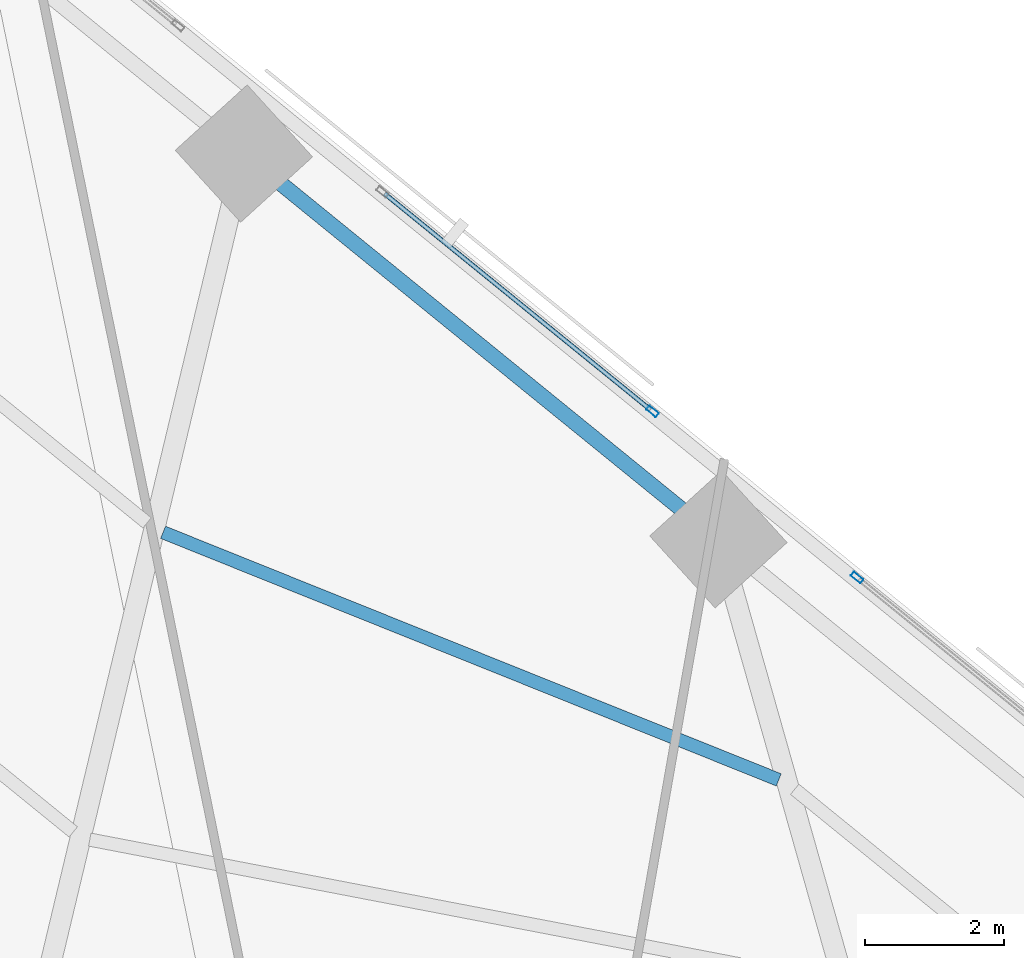
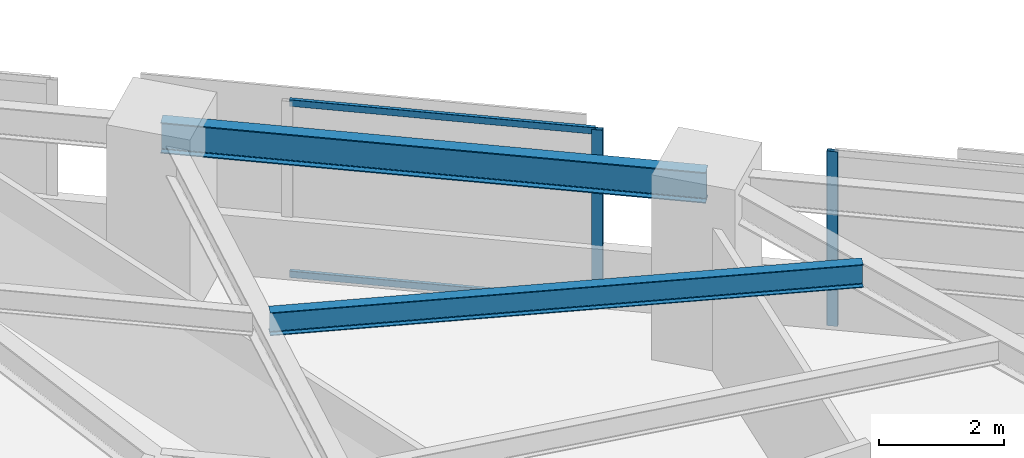
# One storey, part 10 of 17: 4 members, 2 beams, 2 elements without a shape of their own.
"""IFC4 building model written with IfcOpenShell, lengths in metres."""

from ifc_helpers import new_model, si_unit, direction, frame, origin, origin_2d, place, context, subcontext, project, spatial, hollow_rectangle, i_section, extrude, material, material_profile, profile_set, type_object, element, aggregate, save


model = new_model("IFC4")

# Units and contexts
model_context = context("Model", 3, precision=1e-05, world=origin(), true_north=direction((0.0, 1.0)))
body_context = subcontext(model_context, "Body", "Model", "MODEL_VIEW")
ifc_project = project(units=[si_unit("LENGTHUNIT", "METRE"), si_unit("AREAUNIT", "SQUARE_METRE"), si_unit("VOLUMEUNIT", "CUBIC_METRE"), si_unit("PLANEANGLEUNIT", "RADIAN"), si_unit("MASSUNIT", "GRAM", prefix="KILO")], contexts=[model_context])

# Site, building, storey
site_placement = place(None, origin())
site = spatial("IfcSite", under=ifc_project, at=site_placement, CompositionType="ELEMENT")
building_placement = place(site_placement, origin())
building = spatial("IfcBuilding", under=site, at=building_placement, Name="Narakoshi Arena Tower", CompositionType="ELEMENT")
storey_placement = place(building_placement, frame((0.0, 0.0, 41.10009765625)))
storey = spatial("IfcBuildingStorey", under=building, at=storey_placement, Name="L10", CompositionType="ELEMENT", Elevation=41.10009765625)

# Beams
ifc_material_1 = material(Name="Structural steel S355J2", Category="steel")
ifc_material_profile_1 = material_profile(ifc_material_1, i_section(OverallWidth=0.219970703125, OverallDepth=0.60009765625, WebThickness=0.011962890625, FlangeThickness=0.01904296875, FilletRadius=0.02392578125, at=origin_2d()), Name="IPE600")
ifc_profile_set_1 = profile_set([ifc_material_profile_1], Name="Structural steel S355J2")
beam_type_1 = type_object("IfcBeamType", Name="BM-EDGE-600", PredefinedType="BEAM", material=ifc_profile_set_1)
beam_1_placement = place(storey_placement, frame((82.626953125, 66.838623046875, 3.099853515625), z_axis=(-0.775997794165, 0.630735620883, 0.0), x_axis=(-0.630735620883, -0.775997794165, 0.0)))
element("IfcBeam", 1, at=beam_1_placement, inside=storey, type_object=beam_type_1, Name="L10 Perimeter Edge Girder 10", PredefinedType="BEAM", context=body_context, shape_type="SweptSolid", body=[
    extrude(i_section(OverallWidth=0.219970703125, OverallDepth=0.60009765625, WebThickness=0.011962890625, FlangeThickness=0.01904296875, FilletRadius=0.02392578125, at=origin_2d()), origin(), (0.0, 0.0, 1.0), 8.80517578125),
])
ifc_material_profile_2 = material_profile(ifc_material_1, i_section(OverallWidth=0.18994140625, OverallDepth=0.449951171875, WebThickness=0.009521484375, FlangeThickness=0.0146484375, FilletRadius=0.02099609375, at=origin_2d()), Name="IPE450")
ifc_profile_set_2 = profile_set([ifc_material_profile_2], Name="Structural steel S355J2")
beam_type_2 = type_object("IfcBeamType", Name="BM-SEC-450", PredefinedType="JOIST", material=ifc_profile_set_2)
beam_2_placement = place(storey_placement, frame((83.49560546875, 63.373779296875, 3.1748046875), z_axis=(-0.927809182241, 0.37305511838, 0.0), x_axis=(-0.37305511838, -0.927809182241, 0.0)))
element("IfcBeam", 2, at=beam_2_placement, inside=storey, type_object=beam_type_2, Name="L10 Composite Secondary Floor Joist 14", PredefinedType="JOIST", context=body_context, shape_type="SweptSolid", body=[
    extrude(i_section(OverallWidth=0.18994140625, OverallDepth=0.449951171875, WebThickness=0.009521484375, FlangeThickness=0.0146484375, FilletRadius=0.02099609375, at=origin_2d()), origin(), (0.0, 0.0, 1.0), 9.55615234375),
])

# Curtain wall, member
ifc_material_2 = material(Name="Anodised bronze aluminium 6063-T6", Category="aluminium")
curtain_wall_type = type_object("IfcCurtainWallType", Name="CW-HYP-LOW", PredefinedType="NOTDEFINED", material=ifc_material_2)
curtain_wall_1_placement = place(storey_placement, origin())
curtain_wall_1 = element("IfcCurtainWall", 3, at=curtain_wall_1_placement, inside=storey, type_object=curtain_wall_type, Name="L10 Folded Hypotenuse Curtain Wall 2-2", PredefinedType="NOTDEFINED")
ifc_material_profile_3 = material_profile(ifc_material_2, hollow_rectangle(XDim=0.074951171875, YDim=0.179931640625, WallThickness=0.00390625, OuterFilletRadius=0.0048828125, at=origin_2d()), Name="MUL180x75x4")
ifc_profile_set_3 = profile_set([ifc_material_profile_3], Name="Anodised bronze aluminium 6063-T6")
member_type_1 = type_object("IfcMemberType", Name="MEM-MUL-180", PredefinedType="MULLION", material=ifc_profile_set_3)
member_1_placement = place(storey_placement, frame((84.623779296875, 66.285400390625, 0.0), z_axis=(0.0, 0.0, 1.0), x_axis=(-0.630734833051, -0.775998434519, 0.0)))
member_1 = element("IfcMember", 4, at=member_1_placement, type_object=member_type_1, Name="CW-01 mullion 2", PredefinedType="MULLION", context=body_context, shape_type="SweptSolid", body=[
    extrude(hollow_rectangle(XDim=0.074951171875, YDim=0.179931640625, WallThickness=0.00390625, OuterFilletRadius=0.0048828125, at=origin_2d()), origin(), (0.0, 0.0, 1.0), 3.39990234375),
])
aggregate(curtain_wall_1, [member_1])

# Curtain wall, members
curtain_wall_2_placement = place(storey_placement, origin())
curtain_wall_2 = element("IfcCurtainWall", 5, at=curtain_wall_2_placement, inside=storey, type_object=curtain_wall_type, Name="L10 Folded Hypotenuse Curtain Wall 2-3", PredefinedType="NOTDEFINED")
member_2_placement = place(storey_placement, frame((81.677001953125, 68.6806640625, 0.0), z_axis=(0.0, 0.0, 1.0), x_axis=(-0.630722984816, -0.776008064665, 0.0)))
member_2 = element("IfcMember", 6, at=member_2_placement, type_object=member_type_1, Name="CW-01 mullion 1", PredefinedType="MULLION", context=body_context, shape_type="SweptSolid", body=[
    extrude(hollow_rectangle(XDim=0.074951171875, YDim=0.179931640625, WallThickness=0.00390625, OuterFilletRadius=0.0048828125, at=origin_2d()), origin(), (0.0, 0.0, 1.0), 3.39990234375),
])
ifc_material_profile_4 = material_profile(ifc_material_2, hollow_rectangle(XDim=0.06494140625, YDim=0.1298828125, WallThickness=0.00390625, OuterFilletRadius=0.0048828125, at=origin_2d()), Name="TRN130x65x4")
ifc_profile_set_4 = profile_set([ifc_material_profile_4], Name="Anodised bronze aluminium 6063-T6")
member_type_2 = type_object("IfcMemberType", Name="MEM-TRN-130", PredefinedType="USERDEFINED", material=ifc_profile_set_4)
member_3_placement = place(storey_placement, frame((81.647705078125, 68.704345703125, 0.032470703125), z_axis=(-0.77600648718, 0.630724925665, 0.0), x_axis=(-0.630724925665, -0.77600648718, 0.0)))
member_3 = element("IfcMember", 7, at=member_3_placement, type_object=member_type_2, Name="CW-01 transom 1.1", ObjectType="TRANSOM", PredefinedType="USERDEFINED", context=body_context, shape_type="SweptSolid", body=[
    extrude(hollow_rectangle(XDim=0.06494140625, YDim=0.1298828125, WallThickness=0.00390625, OuterFilletRadius=0.0048828125, at=origin_2d()), origin(), (0.0, 0.0, 1.0), 4.93212890625),
])
member_4_placement = place(storey_placement, frame((81.647705078125, 68.704345703125, 3.367431640625), z_axis=(-0.77600648718, 0.630724925665, 0.0), x_axis=(-0.630724925665, -0.77600648718, 0.0)))
member_4 = element("IfcMember", 8, at=member_4_placement, type_object=member_type_2, Name="CW-01 transom 1.2", ObjectType="TRANSOM", PredefinedType="USERDEFINED", context=body_context, shape_type="SweptSolid", body=[
    extrude(hollow_rectangle(XDim=0.06494140625, YDim=0.1298828125, WallThickness=0.00390625, OuterFilletRadius=0.0048828125, at=origin_2d()), origin(), (0.0, 0.0, 1.0), 4.93212890625),
])
aggregate(curtain_wall_2, [member_2, member_3, member_4])

save(model, "model.ifc")
